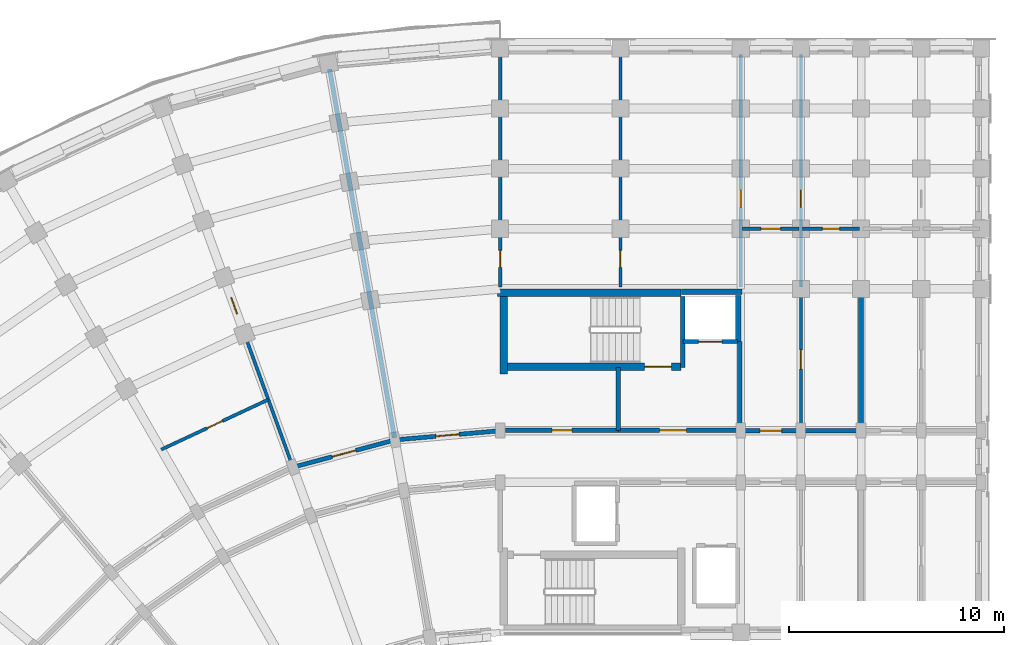
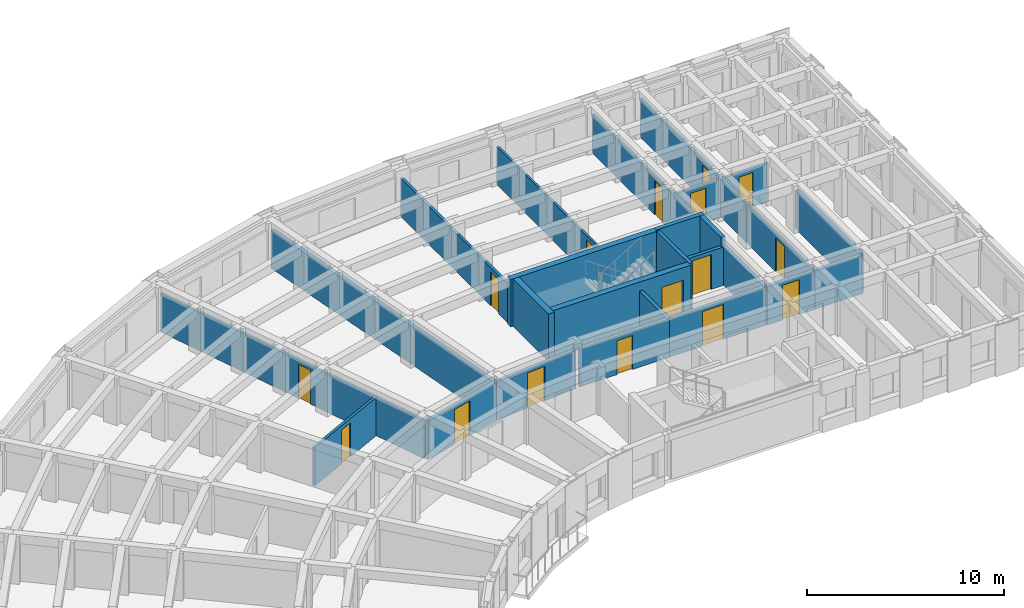
# One storey, part 26 of 54: 26 walls, 16 doors, 16 openings.
"""IFC4 building model written with IfcOpenShell, lengths in metres."""

from ifc_helpers import new_model, si_unit, direction, frame, frame_2d, origin, place, context, subcontext, project, spatial, rectangle, extrude, material, layer, layer_set, type_object, element, fill, save


model = new_model("IFC4")

# Units and contexts
model_context = context("Model", 3, precision=1e-05, world=origin(), true_north=direction((0.0, 1.0)))
body_context = subcontext(model_context, "Body", "Model", "MODEL_VIEW")
ifc_project = project(units=[si_unit("LENGTHUNIT", "METRE"), si_unit("AREAUNIT", "SQUARE_METRE"), si_unit("VOLUMEUNIT", "CUBIC_METRE"), si_unit("PLANEANGLEUNIT", "RADIAN"), si_unit("MASSUNIT", "GRAM", prefix="KILO")], contexts=[model_context])

# Site, building, storey
site_placement = place(None, origin())
site = spatial("IfcSite", under=ifc_project, at=site_placement, CompositionType="ELEMENT")
building_placement = place(site_placement, origin())
building = spatial("IfcBuilding", under=site, at=building_placement, Name="Kiranvali Square Residences", CompositionType="ELEMENT")
storey_placement = place(building_placement, frame((0.0, 0.0, 15.0)))
storey = spatial("IfcBuildingStorey", under=building, at=storey_placement, Name="L04", CompositionType="ELEMENT", Elevation=15.0)

# Wall, opening, door
ifc_material_1 = material(Name="Autoclaved aerated concrete blockwork masonry", Category="masonry")
ifc_layer_1 = layer(ifc_material_1, 0.199951171875)
ifc_layer_set_1 = layer_set([ifc_layer_1], Name="Autoclaved aerated concrete blockwork masonry")
wall_type_1 = type_object("IfcWallType", Name="WL-COR-200", PredefinedType="STANDARD", material=ifc_layer_set_1)
wall_1_placement = place(storey_placement, frame((59.39990234375, 116.0, 0.0), z_axis=(0.0, 0.0, 1.0), x_axis=(1.0, 0.0, 0.0)))
wall_1 = element("IfcWall", 1, at=wall_1_placement, inside=storey, type_object=wall_type_1, Name="L04 architectural wall WL-L04-A-A1CO-0", PredefinedType="STANDARD", context=body_context, shape_type="SweptSolid", body=[
    extrude(rectangle(XDim=2.800048828125, YDim=0.199951171875, at=frame_2d((1.39990234375, 0.0))), origin(), (0.0, 0.0, 1.0), 2.3720703125),
])
opening_1_placement = place(wall_1_placement, frame((0.89990234375, 0.0, 0.0)))
opening_1 = element("IfcOpeningElement", 2, at=opening_1_placement, cuts=wall_1, Name="Opening FD-APT-60", PredefinedType="OPENING", context=body_context, shape_type="SweptSolid", body=[
    extrude(rectangle(XDim=1.0, YDim=2.14990234375, at=frame_2d((0.5, 1.074951171875))), frame((0.0, 0.10986328125, 0.0), z_axis=(0.0, -1.0, 0.0), x_axis=(1.0, 0.0, 0.0)), (0.0, 0.0, 1.0), 0.219970703125),
])
ifc_material_2 = material(Name="Fire-rated acoustic hardwood and mineral-core door assembly", Category="wood")
door_type_1 = type_object("IfcDoorType", Name="DR-APT-1000", OperationType="NOTDEFINED", PredefinedType="DOOR", material=ifc_material_2)
door_1_placement = place(opening_1_placement, origin())
door_1 = element("IfcDoor", 3, at=door_1_placement, inside=storey, type_object=door_type_1, Name="L04 door DR-L04-0289 (DR-APT-1000)", OperationType="SINGLE_SWING_LEFT", OverallHeight=2.14990234375, OverallWidth=1.0, PredefinedType="DOOR", context=body_context, shape_type="SweptSolid", body=[
    extrude(rectangle(XDim=1.0, YDim=2.14990234375, at=frame_2d((0.5, 1.074951171875))), frame((0.0, 0.02490234375, 0.0), z_axis=(0.0, -1.0, 0.0), x_axis=(1.0, 0.0, 0.0)), (0.0, 0.0, 1.0), 0.050048828125),
])
fill(opening_1, door_1)

# Wall
wall_2_placement = place(storey_placement, frame((62.199951171875, 116.0, 0.0), z_axis=(0.0, 0.0, 1.0), x_axis=(1.0, 0.0, 0.0)))
element("IfcWall", 4, at=wall_2_placement, inside=storey, type_object=wall_type_1, Name="L04 architectural wall WL-L04-A-A1CO-1", PredefinedType="STANDARD", context=body_context, shape_type="SweptSolid", body=[
    extrude(rectangle(XDim=2.800048828125, YDim=0.199951171875, at=frame_2d((1.39990234375, 0.0))), origin(), (0.0, 0.0, 1.0), 2.3720703125),
])

# Wall, opening, door
wall_3_placement = place(storey_placement, frame((48.199951171875, 116.0, 0.0), z_axis=(0.0, 0.0, 1.0), x_axis=(-0.996193663584, -0.087167566415, 0.0)))
wall_3 = element("IfcWall", 5, at=wall_3_placement, inside=storey, type_object=wall_type_1, Name="L04 architectural wall WL-L04-A-CCO-0", PredefinedType="STANDARD", context=body_context, shape_type="SweptSolid", body=[
    extrude(rectangle(XDim=4.91552734375, YDim=0.199951171875, at=frame_2d((2.457763671875, 0.0))), origin(), (0.0, 0.0, 1.0), 2.3720703125),
])
opening_2_placement = place(wall_3_placement, frame((1.917724609375, 0.0, 0.0)))
opening_2 = element("IfcOpeningElement", 6, at=opening_2_placement, cuts=wall_3, Name="Opening FD-APT-60C", PredefinedType="OPENING", context=body_context, shape_type="SweptSolid", body=[
    extrude(rectangle(XDim=1.080078125, YDim=2.14990234375, at=frame_2d((0.5400390625, 1.074951171875))), frame((0.0, 0.10986328125, 0.0), z_axis=(0.0, -1.0, 0.0), x_axis=(1.0, 0.0, 0.0)), (0.0, 0.0, 1.0), 0.219970703125),
])
door_type_2 = type_object("IfcDoorType", Name="DR-APT-1080", OperationType="NOTDEFINED", PredefinedType="DOOR", material=ifc_material_2)
door_2_placement = place(opening_2_placement, origin())
door_2 = element("IfcDoor", 7, at=door_2_placement, inside=storey, type_object=door_type_2, Name="L04 door DR-L04-0307 (DR-APT-1080)", OperationType="SINGLE_SWING_LEFT", OverallHeight=2.14990234375, OverallWidth=1.080078125, PredefinedType="DOOR", context=body_context, shape_type="SweptSolid", body=[
    extrude(rectangle(XDim=1.080078125, YDim=2.14990234375, at=frame_2d((0.5400390625, 1.074951171875))), frame((0.0, 0.02490234375, 0.0), z_axis=(0.0, -1.0, 0.0), x_axis=(1.0, 0.0, 0.0)), (0.0, 0.0, 1.0), 0.050048828125),
])
fill(opening_2, door_2)

wall_4_placement = place(storey_placement, frame((43.30322265625, 115.571533203125, 0.0), z_axis=(0.0, 0.0, 1.0), x_axis=(-0.965930095386, -0.258803112091, 0.0)))
wall_4 = element("IfcWall", 8, at=wall_4_placement, inside=storey, type_object=wall_type_1, Name="L04 architectural wall WL-L04-A-CCO-1", PredefinedType="STANDARD", context=body_context, shape_type="SweptSolid", body=[
    extrude(rectangle(XDim=4.915771484375, YDim=0.199951171875, at=frame_2d((2.4580078125, 0.0))), origin(), (0.0, 0.0, 1.0), 2.3720703125),
])
opening_3_placement = place(wall_4_placement, frame((1.8876953125, 0.0, 0.0)))
opening_3 = element("IfcOpeningElement", 9, at=opening_3_placement, cuts=wall_4, Name="Opening FD-APT-60D", PredefinedType="OPENING", context=body_context, shape_type="SweptSolid", body=[
    extrude(rectangle(XDim=1.139892578125, YDim=2.14990234375, at=frame_2d((0.56982421875, 1.074951171875))), frame((0.0, 0.10986328125, 0.0), z_axis=(0.0, -1.0, 0.0), x_axis=(1.0, 0.0, 0.0)), (0.0, 0.0, 1.0), 0.219970703125),
])
door_type_3 = type_object("IfcDoorType", Name="DR-APT-1140", OperationType="NOTDEFINED", PredefinedType="DOOR", material=ifc_material_2)
door_3_placement = place(opening_3_placement, frame((1.139892578125, 0.0, 0.0), z_axis=(0.0, 0.0, 1.0), x_axis=(-1.0, 0.0, 0.0)))
door_3 = element("IfcDoor", 10, at=door_3_placement, inside=storey, type_object=door_type_3, Name="L04 door DR-L04-0308 (DR-APT-1140)", OperationType="SINGLE_SWING_RIGHT", OverallHeight=2.14990234375, OverallWidth=1.139892578125, PredefinedType="DOOR", context=body_context, shape_type="SweptSolid", body=[
    extrude(rectangle(XDim=1.139892578125, YDim=2.14990234375, at=frame_2d((0.56982421875, 1.074951171875))), frame((0.0, 0.02490234375, 0.0), z_axis=(0.0, -1.0, 0.0), x_axis=(1.0, 0.0, 0.0)), (0.0, 0.0, 1.0), 0.050048828125),
])
fill(opening_3, door_3)

# Walls
ifc_layer_2 = layer(ifc_material_1, 0.219970703125)
ifc_layer_set_2 = layer_set([ifc_layer_2], Name="Autoclaved aerated concrete blockwork masonry")
wall_type_2 = type_object("IfcWallType", Name="WL-DEM-220", PredefinedType="STANDARD", material=ifc_layer_set_2)
wall_5_placement = place(storey_placement, frame((65.0, 116.050048828125, 0.0), z_axis=(0.0, 0.0, 1.0), x_axis=(0.0, 1.0, 0.0)))
element("IfcWall", 11, at=wall_5_placement, inside=storey, type_object=wall_type_2, Name="L04 architectural wall WL-L04-A-A1TO1-2", PredefinedType="STANDARD", context=body_context, shape_type="SweptSolid", body=[
    extrude(rectangle(XDim=6.530029296875, YDim=0.219970703125, at=frame_2d((3.26513671875, 0.0))), origin(), (0.0, 0.0, 1.0), 2.3720703125),
])
wall_6_placement = place(storey_placement, frame((43.28564453125, 115.670166015625, 0.0), z_axis=(0.0, 0.0, 1.0), x_axis=(-0.173646216546, 0.984808098809, 0.0)))
element("IfcWall", 12, at=wall_6_placement, inside=storey, type_object=wall_type_2, Name="L04 architectural wall WL-L04-A-RADO-1", PredefinedType="STANDARD", context=body_context, shape_type="SweptSolid", body=[
    extrude(rectangle(XDim=17.419921875, YDim=0.219970703125, at=frame_2d((8.7099609375, 0.0))), origin(), (0.0, 0.0, 1.0), 2.3720703125),
])

# Wall, opening, door
ifc_layer_3 = layer(ifc_material_1, 0.199951171875)
ifc_layer_set_3 = layer_set([ifc_layer_3], Name="Autoclaved aerated concrete blockwork masonry")
wall_type_3 = type_object("IfcWallType", Name="WL-FFL-200", PredefinedType="STANDARD", material=ifc_layer_set_3)
wall_7_placement = place(storey_placement, frame((53.699951171875, 116.02001953125, 0.0), z_axis=(0.0, 0.0, 1.0), x_axis=(1.0, 0.0, 0.0)))
wall_7 = element("IfcWall", 13, at=wall_7_placement, inside=storey, type_object=wall_type_3, Name="L04 architectural wall WL-L04-A-FF-COR", PredefinedType="STANDARD", context=body_context, shape_type="SweptSolid", body=[
    extrude(rectangle(XDim=5.650146484375, YDim=0.199951171875, at=frame_2d((2.8251953125, 0.0))), origin(), (0.0, 0.0, 1.0), 2.3720703125),
])
opening_4_placement = place(wall_7_placement, frame((1.922607421875, 0.0, 0.0)))
opening_4 = element("IfcOpeningElement", 14, at=opening_4_placement, cuts=wall_7, Name="Opening FD-ST-120", PredefinedType="OPENING", context=body_context, shape_type="SweptSolid", body=[
    extrude(rectangle(XDim=1.239990234375, YDim=2.14990234375, at=frame_2d((0.6201171875, 1.074951171875))), frame((0.0, 0.10986328125, 0.0), z_axis=(0.0, -1.0, 0.0), x_axis=(1.0, 0.0, 0.0)), (0.0, 0.0, 1.0), 0.219970703125),
])
door_type_4 = type_object("IfcDoorType", Name="DR-FD120-1200", OperationType="NOTDEFINED", PredefinedType="DOOR", material=ifc_material_2)
door_4_placement = place(opening_4_placement, origin())
door_4 = element("IfcDoor", 15, at=door_4_placement, inside=storey, type_object=door_type_4, Name="L04 door DR-L04-0275 (DR-FD120-1200)", OperationType="SINGLE_SWING_LEFT", OverallHeight=2.14990234375, OverallWidth=1.239990234375, PredefinedType="DOOR", context=body_context, shape_type="SweptSolid", body=[
    extrude(rectangle(XDim=1.239990234375, YDim=2.14990234375, at=frame_2d((0.6201171875, 1.074951171875))), frame((0.0, 0.02490234375, 0.0), z_axis=(0.0, -1.0, 0.0), x_axis=(1.0, 0.0, 0.0)), (0.0, 0.0, 1.0), 0.050048828125),
])
fill(opening_4, door_4)

# Walls
wall_8_placement = place(storey_placement, frame((53.699951171875, 116.02001953125, 0.0), z_axis=(0.0, 0.0, 1.0), x_axis=(0.0, 1.0, 0.0)))
element("IfcWall", 16, at=wall_8_placement, inside=storey, type_object=wall_type_3, Name="L04 architectural wall WL-L04-A-FF-DIV", PredefinedType="STANDARD", context=body_context, shape_type="SweptSolid", body=[
    extrude(rectangle(XDim=2.929931640625, YDim=0.199951171875, at=frame_2d((1.46484375, 0.0))), origin(), (0.0, 0.0, 1.0), 2.3720703125),
])
wall_9_placement = place(storey_placement, frame((59.35009765625, 116.02001953125, 0.0), z_axis=(0.0, 0.0, 1.0), x_axis=(0.0, 1.0, 0.0)))
element("IfcWall", 17, at=wall_9_placement, inside=storey, type_object=wall_type_3, Name="L04 architectural wall WL-L04-A-FF-END", PredefinedType="STANDARD", context=body_context, shape_type="SweptSolid", body=[
    extrude(rectangle(XDim=4.1298828125, YDim=0.199951171875, at=frame_2d((2.06494140625, 0.0))), origin(), (0.0, 0.0, 1.0), 2.3720703125),
])

# Wall, opening, door
wall_10_placement = place(storey_placement, frame((56.699951171875, 120.14990234375, 0.0), z_axis=(0.0, 0.0, 1.0), x_axis=(1.0, 0.0, 0.0)))
wall_10 = element("IfcWall", 18, at=wall_10_placement, inside=storey, type_object=wall_type_3, Name="L04 architectural wall WL-L04-A-FF-LFT", PredefinedType="STANDARD", context=body_context, shape_type="SweptSolid", body=[
    extrude(rectangle(XDim=2.550048828125, YDim=0.199951171875, at=frame_2d((1.27490234375, 0.0))), origin(), (0.0, 0.0, 1.0), 2.3720703125),
])
opening_5_placement = place(wall_10_placement, frame((0.72509765625, 0.0, 0.0)))
opening_5 = element("IfcOpeningElement", 19, at=opening_5_placement, cuts=wall_10, Name="Opening LD-FF-110", PredefinedType="OPENING", context=body_context, shape_type="SweptSolid", body=[
    extrude(rectangle(XDim=1.10009765625, YDim=2.14990234375, at=frame_2d((0.550048828125, 1.074951171875))), frame((0.0, 0.10986328125, 0.0), z_axis=(0.0, -1.0, 0.0), x_axis=(1.0, 0.0, 0.0)), (0.0, 0.0, 1.0), 0.219970703125),
])
door_type_5 = type_object("IfcDoorType", Name="DR-LIFT-FF-1100", OperationType="SLIDING_TO_LEFT", PredefinedType="DOOR", material=ifc_material_2)
door_5_placement = place(opening_5_placement, origin())
door_5 = element("IfcDoor", 20, at=door_5_placement, inside=storey, type_object=door_type_5, Name="L04 door DR-L04-0277 (DR-LIFT-FF-1100)", OperationType="SLIDING_TO_LEFT", OverallHeight=2.14990234375, OverallWidth=1.10009765625, PredefinedType="DOOR", context=body_context, shape_type="SweptSolid", body=[
    extrude(rectangle(XDim=1.10009765625, YDim=2.14990234375, at=frame_2d((0.550048828125, 1.074951171875))), frame((0.0, 0.02490234375, 0.0), z_axis=(0.0, -1.0, 0.0), x_axis=(1.0, 0.0, 0.0)), (0.0, 0.0, 1.0), 0.050048828125),
])
fill(opening_5, door_5)

ifc_material_3 = material(Name="Acoustic gypsum board drylined partition", Category="gypsum")
ifc_layer_4 = layer(ifc_material_3, 0.125)
ifc_layer_set_4 = layer_set([ifc_layer_4], Name="Acoustic gypsum board drylined partition")
wall_type_4 = type_object("IfcWallType", Name="WL-PRT-125", PredefinedType="PARTITIONING", material=ifc_layer_set_4)
wall_11_placement = place(storey_placement, frame((53.800048828125, 122.699951171875, 0.0), z_axis=(0.0, 0.0, 1.0), x_axis=(0.0, 1.0, 0.0)))
wall_11 = element("IfcWall", 21, at=wall_11_placement, inside=storey, type_object=wall_type_4, Name="L04 architectural wall WL-L04-A-CF-MID", PredefinedType="PARTITIONING", context=body_context, shape_type="SweptSolid", body=[
    extrude(rectangle(XDim=10.820068359375, YDim=0.125, at=frame_2d((5.41015625, 0.0))), origin(), (0.0, 0.0, 1.0), 2.3720703125),
])
opening_6_placement = place(wall_11_placement, frame((0.8994140625, 0.0, 0.0)))
opening_6 = element("IfcOpeningElement", 22, at=opening_6_placement, cuts=wall_11, Name="Opening ID-WET", PredefinedType="OPENING", context=body_context, shape_type="SweptSolid", body=[
    extrude(rectangle(XDim=0.800048828125, YDim=2.10009765625, at=frame_2d((0.39990234375, 1.050048828125))), frame((0.0, 0.072509765625, 0.0), z_axis=(0.0, -1.0, 0.0), x_axis=(1.0, 0.0, 0.0)), (0.0, 0.0, 1.0), 0.14501953125),
])
ifc_material_4 = material(Name="Solid seasoned teak hardwood joinery", Category="wood")
door_type_6 = type_object("IfcDoorType", Name="DR-WET-800", OperationType="NOTDEFINED", PredefinedType="DOOR", material=ifc_material_4)
door_6_placement = place(opening_6_placement, frame((0.800048828125, 0.0, 0.0), z_axis=(0.0, 0.0, 1.0), x_axis=(-1.0, 0.0, 0.0)))
door_6 = element("IfcDoor", 23, at=door_6_placement, inside=storey, type_object=door_type_6, Name="L04 door DR-L04-0286 (DR-WET-800)", OperationType="SINGLE_SWING_RIGHT", OverallHeight=2.10009765625, OverallWidth=0.800048828125, PredefinedType="DOOR", context=body_context, shape_type="SweptSolid", body=[
    extrude(rectangle(XDim=0.800048828125, YDim=2.10009765625, at=frame_2d((0.39990234375, 1.050048828125))), frame((0.0, 0.02490234375, 0.0), z_axis=(0.0, -1.0, 0.0), x_axis=(1.0, 0.0, 0.0)), (0.0, 0.0, 1.0), 0.050048828125),
])
fill(opening_6, door_6)

ifc_layer_5 = layer(ifc_material_3, 0.14990234375)
ifc_layer_set_5 = layer_set([ifc_layer_5], Name="Acoustic gypsum board drylined partition")
wall_type_5 = type_object("IfcWallType", Name="WL-PRT-150", PredefinedType="PARTITIONING", material=ifc_layer_set_5)
wall_12_placement = place(storey_placement, frame((59.39990234375, 122.699951171875, 0.0), z_axis=(0.0, 0.0, 1.0), x_axis=(0.0, 1.0, 0.0)))
wall_12 = element("IfcWall", 24, at=wall_12_placement, inside=storey, type_object=wall_type_5, Name="L04 architectural wall WL-L04-A-A1TO2-0", PredefinedType="PARTITIONING", context=body_context, shape_type="SweptSolid", body=[
    extrude(rectangle(XDim=10.820068359375, YDim=0.14990234375, at=frame_2d((5.41015625, 0.0))), origin(), (0.0, 0.0, 1.0), 2.3720703125),
])
opening_7_placement = place(wall_12_placement, frame((3.69970703125, 0.0, 0.0)))
opening_7 = element("IfcOpeningElement", 25, at=opening_7_placement, cuts=wall_12, Name="Opening ID-WET", PredefinedType="OPENING", context=body_context, shape_type="SweptSolid", body=[
    extrude(rectangle(XDim=0.800048828125, YDim=2.10009765625, at=frame_2d((0.39990234375, 1.050048828125))), frame((0.0, 0.0849609375, 0.0), z_axis=(0.0, -1.0, 0.0), x_axis=(1.0, 0.0, 0.0)), (0.0, 0.0, 1.0), 0.169921875),
])
door_7_placement = place(opening_7_placement, origin())
door_7 = element("IfcDoor", 26, at=door_7_placement, inside=storey, type_object=door_type_6, Name="L04 door DR-L04-0295 (DR-WET-800)", OperationType="SINGLE_SWING_LEFT", OverallHeight=2.10009765625, OverallWidth=0.800048828125, PredefinedType="DOOR", context=body_context, shape_type="SweptSolid", body=[
    extrude(rectangle(XDim=0.800048828125, YDim=2.10009765625, at=frame_2d((0.39990234375, 1.050048828125))), frame((0.0, 0.02490234375, 0.0), z_axis=(0.0, -1.0, 0.0), x_axis=(1.0, 0.0, 0.0)), (0.0, 0.0, 1.0), 0.050048828125),
])
fill(opening_7, door_7)

wall_13_placement = place(storey_placement, frame((62.199951171875, 116.050048828125, 0.0), z_axis=(0.0, 0.0, 1.0), x_axis=(0.0, 1.0, 0.0)))
wall_13 = element("IfcWall", 27, at=wall_13_placement, inside=storey, type_object=wall_type_5, Name="L04 architectural wall WL-L04-A-A1TO1-1", PredefinedType="PARTITIONING", context=body_context, shape_type="SweptSolid", body=[
    extrude(rectangle(XDim=6.530029296875, YDim=0.14990234375, at=frame_2d((3.26513671875, 0.0))), origin(), (0.0, 0.0, 1.0), 2.3720703125),
])
opening_8_placement = place(wall_13_placement, frame((2.81494140625, 0.0, 0.0)))
opening_8 = element("IfcOpeningElement", 28, at=opening_8_placement, cuts=wall_13, Name="Opening ID-1", PredefinedType="OPENING", context=body_context, shape_type="SweptSolid", body=[
    extrude(rectangle(XDim=0.89990234375, YDim=2.10009765625, at=frame_2d((0.449951171875, 1.050048828125))), frame((0.0, 0.0849609375, 0.0), z_axis=(0.0, -1.0, 0.0), x_axis=(1.0, 0.0, 0.0)), (0.0, 0.0, 1.0), 0.169921875),
])
door_type_7 = type_object("IfcDoorType", Name="DR-INT-900", OperationType="NOTDEFINED", PredefinedType="DOOR", material=ifc_material_4)
door_8_placement = place(opening_8_placement, origin())
door_8 = element("IfcDoor", 29, at=door_8_placement, inside=storey, type_object=door_type_7, Name="L04 door DR-L04-0297 (DR-INT-900)", OperationType="SINGLE_SWING_LEFT", OverallHeight=2.10009765625, OverallWidth=0.89990234375, PredefinedType="DOOR", context=body_context, shape_type="SweptSolid", body=[
    extrude(rectangle(XDim=0.89990234375, YDim=2.10009765625, at=frame_2d((0.449951171875, 1.050048828125))), frame((0.0, 0.02490234375, 0.0), z_axis=(0.0, -1.0, 0.0), x_axis=(1.0, 0.0, 0.0)), (0.0, 0.0, 1.0), 0.050048828125),
])
fill(opening_8, door_8)

wall_14_placement = place(storey_placement, frame((62.199951171875, 122.699951171875, 0.0), z_axis=(0.0, 0.0, 1.0), x_axis=(0.0, 1.0, 0.0)))
wall_14 = element("IfcWall", 30, at=wall_14_placement, inside=storey, type_object=wall_type_5, Name="L04 architectural wall WL-L04-A-A1TO2-1", PredefinedType="PARTITIONING", context=body_context, shape_type="SweptSolid", body=[
    extrude(rectangle(XDim=10.820068359375, YDim=0.14990234375, at=frame_2d((5.41015625, 0.0))), origin(), (0.0, 0.0, 1.0), 2.3720703125),
])
opening_9_placement = place(wall_14_placement, frame((3.69970703125, 0.0, 0.0)))
opening_9 = element("IfcOpeningElement", 31, at=opening_9_placement, cuts=wall_14, Name="Opening ID-WET", PredefinedType="OPENING", context=body_context, shape_type="SweptSolid", body=[
    extrude(rectangle(XDim=0.800048828125, YDim=2.10009765625, at=frame_2d((0.39990234375, 1.050048828125))), frame((0.0, 0.0849609375, 0.0), z_axis=(0.0, -1.0, 0.0), x_axis=(1.0, 0.0, 0.0)), (0.0, 0.0, 1.0), 0.169921875),
])
door_9_placement = place(opening_9_placement, frame((0.800048828125, 0.0, 0.0), z_axis=(0.0, 0.0, 1.0), x_axis=(-1.0, 0.0, 0.0)))
door_9 = element("IfcDoor", 32, at=door_9_placement, inside=storey, type_object=door_type_6, Name="L04 door DR-L04-0298 (DR-WET-800)", OperationType="SINGLE_SWING_RIGHT", OverallHeight=2.10009765625, OverallWidth=0.800048828125, PredefinedType="DOOR", context=body_context, shape_type="SweptSolid", body=[
    extrude(rectangle(XDim=0.800048828125, YDim=2.10009765625, at=frame_2d((0.39990234375, 1.050048828125))), frame((0.0, 0.02490234375, 0.0), z_axis=(0.0, -1.0, 0.0), x_axis=(1.0, 0.0, 0.0)), (0.0, 0.0, 1.0), 0.050048828125),
])
fill(opening_9, door_9)

wall_15_placement = place(storey_placement, frame((48.199951171875, 122.699951171875, 0.0), z_axis=(0.0, 0.0, 1.0), x_axis=(0.0, 1.0, 0.0)))
wall_15 = element("IfcWall", 33, at=wall_15_placement, inside=storey, type_object=wall_type_5, Name="L04 architectural wall WL-L04-A-RADO-0", PredefinedType="PARTITIONING", context=body_context, shape_type="SweptSolid", body=[
    extrude(rectangle(XDim=10.820068359375, YDim=0.14990234375, at=frame_2d((5.41015625, 0.0))), origin(), (0.0, 0.0, 1.0), 2.3720703125),
])
opening_10_placement = place(wall_15_placement, frame((0.8994140625, 0.0, 0.0)))
opening_10 = element("IfcOpeningElement", 34, at=opening_10_placement, cuts=wall_15, Name="Opening ID-WET", PredefinedType="OPENING", context=body_context, shape_type="SweptSolid", body=[
    extrude(rectangle(XDim=0.800048828125, YDim=2.10009765625, at=frame_2d((0.39990234375, 1.050048828125))), frame((0.0, 0.0849609375, 0.0), z_axis=(0.0, -1.0, 0.0), x_axis=(1.0, 0.0, 0.0)), (0.0, 0.0, 1.0), 0.169921875),
])
door_10_placement = place(opening_10_placement, frame((0.800048828125, 0.0, 0.0), z_axis=(0.0, 0.0, 1.0), x_axis=(-1.0, 0.0, 0.0)))
door_10 = element("IfcDoor", 35, at=door_10_placement, inside=storey, type_object=door_type_6, Name="L04 door DR-L04-0302 (DR-WET-800)", OperationType="SINGLE_SWING_RIGHT", OverallHeight=2.10009765625, OverallWidth=0.800048828125, PredefinedType="DOOR", context=body_context, shape_type="SweptSolid", body=[
    extrude(rectangle(XDim=0.800048828125, YDim=2.10009765625, at=frame_2d((0.39990234375, 1.050048828125))), frame((0.0, 0.02490234375, 0.0), z_axis=(0.0, -1.0, 0.0), x_axis=(1.0, 0.0, 0.0)), (0.0, 0.0, 1.0), 0.050048828125),
])
fill(opening_10, door_10)

wall_16_placement = place(storey_placement, frame((38.520751953125, 114.393310546875, 0.0), z_axis=(0.0, 0.0, 1.0), x_axis=(-0.342022120477, 0.939691901159, 0.0)))
wall_16 = element("IfcWall", 36, at=wall_16_placement, inside=storey, type_object=wall_type_5, Name="L04 architectural wall WL-L04-A-RADO-2", PredefinedType="PARTITIONING", context=body_context, shape_type="SweptSolid", body=[
    extrude(rectangle(XDim=17.419921875, YDim=0.14990234375, at=frame_2d((8.7099609375, 0.0))), origin(), (0.0, 0.0, 1.0), 2.3720703125),
])
opening_11_placement = place(wall_16_placement, frame((7.5, 0.0, 0.0)))
opening_11 = element("IfcOpeningElement", 37, at=opening_11_placement, cuts=wall_16, Name="Opening ID-WET", PredefinedType="OPENING", context=body_context, shape_type="SweptSolid", body=[
    extrude(rectangle(XDim=0.800048828125, YDim=2.10009765625, at=frame_2d((0.39990234375, 1.050048828125))), frame((0.0, 0.0849609375, 0.0), z_axis=(0.0, -1.0, 0.0), x_axis=(1.0, 0.0, 0.0)), (0.0, 0.0, 1.0), 0.169921875),
])
door_11_placement = place(opening_11_placement, origin())
door_11 = element("IfcDoor", 38, at=door_11_placement, inside=storey, type_object=door_type_6, Name="L04 door DR-L04-0303 (DR-WET-800)", OperationType="SINGLE_SWING_LEFT", OverallHeight=2.10009765625, OverallWidth=0.800048828125, PredefinedType="DOOR", context=body_context, shape_type="SweptSolid", body=[
    extrude(rectangle(XDim=0.800048828125, YDim=2.10009765625, at=frame_2d((0.39990234375, 1.050048828125))), frame((0.0, 0.02490234375, 0.0), z_axis=(0.0, -1.0, 0.0), x_axis=(1.0, 0.0, 0.0)), (0.0, 0.0, 1.0), 0.050048828125),
])
fill(opening_11, door_11)

ifc_layer_6 = layer(ifc_material_1, 0.199951171875)
ifc_layer_set_6 = layer_set([ifc_layer_6], Name="Autoclaved aerated concrete blockwork masonry")
wall_type_6 = type_object("IfcWallType", Name="WL-SHF-200", PredefinedType="STANDARD", material=ifc_layer_set_6)
wall_17_placement = place(storey_placement, frame((48.449951171875, 116.02001953125, 0.0), z_axis=(0.0, 0.0, 1.0), x_axis=(1.0, 0.0, 0.0)))
wall_17 = element("IfcWall", 39, at=wall_17_placement, inside=storey, type_object=wall_type_6, Name="L04 architectural wall WL-L04-A-RSR-COR", PredefinedType="STANDARD", context=body_context, shape_type="SweptSolid", body=[
    extrude(rectangle(XDim=5.25, YDim=0.199951171875, at=frame_2d((2.625, 0.0))), origin(), (0.0, 0.0, 1.0), 2.3720703125),
])
opening_12_placement = place(wall_17_placement, frame((2.1650390625, 0.0, 0.0)))
opening_12 = element("IfcOpeningElement", 40, at=opening_12_placement, cuts=wall_17, Name="Opening FD-SVC-120", PredefinedType="OPENING", context=body_context, shape_type="SweptSolid", body=[
    extrude(rectangle(XDim=0.919921875, YDim=2.10009765625, at=frame_2d((0.4599609375, 1.050048828125))), frame((0.0, 0.10986328125, 0.0), z_axis=(0.0, -1.0, 0.0), x_axis=(1.0, 0.0, 0.0)), (0.0, 0.0, 1.0), 0.219970703125),
])
door_type_8 = type_object("IfcDoorType", Name="DR-SVC-900", OperationType="NOTDEFINED", PredefinedType="DOOR", material=ifc_material_2)
door_12_placement = place(opening_12_placement, frame((0.919921875, 0.0, 0.0), z_axis=(0.0, 0.0, 1.0), x_axis=(-1.0, 0.0, 0.0)))
door_12 = element("IfcDoor", 41, at=door_12_placement, inside=storey, type_object=door_type_8, Name="L04 door DR-L04-0276 (DR-SVC-900)", OperationType="SINGLE_SWING_RIGHT", OverallHeight=2.10009765625, OverallWidth=0.919921875, PredefinedType="DOOR", context=body_context, shape_type="SweptSolid", body=[
    extrude(rectangle(XDim=0.919921875, YDim=2.10009765625, at=frame_2d((0.4599609375, 1.050048828125))), frame((0.0, 0.02490234375, 0.0), z_axis=(0.0, -1.0, 0.0), x_axis=(1.0, 0.0, 0.0)), (0.0, 0.0, 1.0), 0.050048828125),
])
fill(opening_12, door_12)

# Walls
wall_18_placement = place(storey_placement, frame((56.699951171875, 118.949951171875, 0.0), z_axis=(0.0, 0.0, 1.0), x_axis=(0.0, 1.0, 0.0)))
element("IfcWall", 42, at=wall_18_placement, inside=storey, type_object=wall_type_6, Name="L04 architectural wall WL-L04-A-FF-SHF", PredefinedType="STANDARD", context=body_context, shape_type="SweptSolid", body=[
    extrude(rectangle(XDim=3.300048828125, YDim=0.199951171875, at=frame_2d((1.64990234375, 0.0))), origin(), (0.0, 0.0, 1.0), 2.929931640625),
])
ifc_material_5 = material(Name="Concrete M45 (45 MPa)", Category="concrete")
ifc_layer_7 = layer(ifc_material_5, 0.25)
ifc_layer_set_7 = layer_set([ifc_layer_7], Name="Concrete M45 (45 MPa)")
wall_type_7 = type_object("IfcWallType", Name="WL-SHR-250", PredefinedType="SHEAR", material=ifc_layer_set_7)
wall_19_placement = place(storey_placement, frame((56.64990234375, 122.47509765625, 0.0), z_axis=(0.0, 0.0, 1.0), x_axis=(1.0, 0.0, 0.0)))
element("IfcWall", 43, at=wall_19_placement, inside=storey, type_object=wall_type_7, Name="Block A core shear wall SW-AFF-BK-L04", PredefinedType="SHEAR", context=body_context, shape_type="SweptSolid", body=[
    extrude(rectangle(XDim=2.800048828125, YDim=0.25, at=frame_2d((1.39990234375, 0.0))), origin(), (0.0, 0.0, 1.0), 2.929931640625),
])
wall_20_placement = place(storey_placement, frame((59.27490234375, 120.14990234375, 0.0), z_axis=(0.0, 0.0, 1.0), x_axis=(0.0, 1.0, 0.0)))
element("IfcWall", 44, at=wall_20_placement, inside=storey, type_object=wall_type_7, Name="Block A core shear wall SW-AFF-SD-L04", PredefinedType="SHEAR", context=body_context, shape_type="SweptSolid", body=[
    extrude(rectangle(XDim=2.150146484375, YDim=0.25, at=frame_2d((1.0751953125, 0.0))), origin(), (0.0, 0.0, 1.0), 2.929931640625),
])
ifc_material_6 = material(Name="Concrete M50 (50 MPa)", Category="concrete")
ifc_layer_8 = layer(ifc_material_6, 0.35009765625)
ifc_layer_set_8 = layer_set([ifc_layer_8], Name="Concrete M50 (50 MPa)")
wall_type_8 = type_object("IfcWallType", Name="WL-SHR-350", PredefinedType="SHEAR", material=ifc_layer_set_8)
wall_21_placement = place(storey_placement, frame((48.080078125, 122.425048828125, 0.0), z_axis=(0.0, 0.0, 1.0), x_axis=(1.0, 0.0, 0.0)))
element("IfcWall", 45, at=wall_21_placement, inside=storey, type_object=wall_type_8, Name="Block A core shear wall SW-A1-OUT-L04", PredefinedType="SHEAR", context=body_context, shape_type="SweptSolid", body=[
    extrude(rectangle(XDim=8.544921875, YDim=0.35009765625, at=frame_2d((4.2724609375, 0.0))), origin(), (0.0, 0.0, 1.0), 2.929931640625),
])

# Wall, opening, door
wall_22_placement = place(storey_placement, frame((48.550048828125, 118.97509765625, 0.0), z_axis=(0.0, 0.0, 1.0), x_axis=(1.0, 0.0, 0.0)))
wall_22 = element("IfcWall", 46, at=wall_22_placement, inside=storey, type_object=wall_type_8, Name="Block A core shear wall SW-A1-IN-L04", PredefinedType="SHEAR", context=body_context, shape_type="SweptSolid", body=[
    extrude(rectangle(XDim=8.074951171875, YDim=0.35009765625, at=frame_2d((4.03759765625, 0.0))), origin(), (0.0, 0.0, 1.0), 2.929931640625),
])
opening_13_placement = place(wall_22_placement, frame((6.3798828125, 0.0, 0.0)))
opening_13 = element("IfcOpeningElement", 47, at=opening_13_placement, cuts=wall_22, Name="Opening FD-ST-120", PredefinedType="OPENING", context=body_context, shape_type="SweptSolid", body=[
    extrude(rectangle(XDim=1.239990234375, YDim=2.14990234375, at=frame_2d((0.6201171875, 1.074951171875))), frame((0.0, 0.18505859375, 0.0), z_axis=(0.0, -1.0, 0.0), x_axis=(1.0, 0.0, 0.0)), (0.0, 0.0, 1.0), 0.3701171875),
])
door_13_placement = place(opening_13_placement, origin())
door_13 = element("IfcDoor", 48, at=door_13_placement, inside=storey, type_object=door_type_4, Name="L04 door DR-L04-0278 (DR-FD120-1200)", OperationType="SINGLE_SWING_RIGHT", OverallHeight=2.14990234375, OverallWidth=1.239990234375, PredefinedType="DOOR", context=body_context, shape_type="SweptSolid", body=[
    extrude(rectangle(XDim=1.239990234375, YDim=2.14990234375, at=frame_2d((0.6201171875, 1.074951171875))), frame((0.0, 0.02490234375, 0.0), z_axis=(0.0, -1.0, 0.0), x_axis=(1.0, 0.0, 0.0)), (0.0, 0.0, 1.0), 0.050048828125),
])
fill(opening_13, door_13)

# Wall
wall_23_placement = place(storey_placement, frame((48.375, 118.64990234375, 0.0), z_axis=(0.0, 0.0, 1.0), x_axis=(0.0, 1.0, 0.0)))
element("IfcWall", 49, at=wall_23_placement, inside=storey, type_object=wall_type_8, Name="Block A core shear wall SW-A1-FAR-L04", PredefinedType="SHEAR", context=body_context, shape_type="SweptSolid", body=[
    extrude(rectangle(XDim=3.60009765625, YDim=0.35009765625, at=frame_2d((1.800048828125, 0.0))), origin(), (0.0, 0.0, 1.0), 2.929931640625),
])

# Wall, opening, door
ifc_layer_9 = layer(ifc_material_1, 0.14990234375)
ifc_layer_set_9 = layer_set([ifc_layer_9], Name="Autoclaved aerated concrete blockwork masonry")
wall_type_9 = type_object("IfcWallType", Name="WL-WET-150", PredefinedType="PLUMBINGWALL", material=ifc_layer_set_9)
wall_24_placement = place(storey_placement, frame((59.47998046875, 125.39990234375, 0.0), z_axis=(0.0, 0.0, 1.0), x_axis=(1.0, 0.0, 0.0)))
wall_24 = element("IfcWall", 50, at=wall_24_placement, inside=storey, type_object=wall_type_9, Name="L04 architectural wall WL-L04-A-A1SP-0", PredefinedType="PLUMBINGWALL", context=body_context, shape_type="SweptSolid", body=[
    extrude(rectangle(XDim=2.64013671875, YDim=0.14990234375, at=frame_2d((1.320068359375, 0.0))), origin(), (0.0, 0.0, 1.0), 2.3720703125),
])
opening_14_placement = place(wall_24_placement, frame((0.8701171875, 0.0, 0.0)))
opening_14 = element("IfcOpeningElement", 51, at=opening_14_placement, cuts=wall_24, Name="Opening ID-1", PredefinedType="OPENING", context=body_context, shape_type="SweptSolid", body=[
    extrude(rectangle(XDim=0.89990234375, YDim=2.10009765625, at=frame_2d((0.449951171875, 1.050048828125))), frame((0.0, 0.0849609375, 0.0), z_axis=(0.0, -1.0, 0.0), x_axis=(1.0, 0.0, 0.0)), (0.0, 0.0, 1.0), 0.169921875),
])
door_14_placement = place(opening_14_placement, frame((0.89990234375, 0.0, 0.0), z_axis=(0.0, 0.0, 1.0), x_axis=(-1.0, 0.0, 0.0)))
door_14 = element("IfcDoor", 52, at=door_14_placement, inside=storey, type_object=door_type_7, Name="L04 door DR-L04-0288 (DR-INT-900)", OperationType="SINGLE_SWING_RIGHT", OverallHeight=2.10009765625, OverallWidth=0.89990234375, PredefinedType="DOOR", context=body_context, shape_type="SweptSolid", body=[
    extrude(rectangle(XDim=0.89990234375, YDim=2.10009765625, at=frame_2d((0.449951171875, 1.050048828125))), frame((0.0, 0.02490234375, 0.0), z_axis=(0.0, -1.0, 0.0), x_axis=(1.0, 0.0, 0.0)), (0.0, 0.0, 1.0), 0.050048828125),
])
fill(opening_14, door_14)

wall_25_placement = place(storey_placement, frame((62.280029296875, 125.39990234375, 0.0), z_axis=(0.0, 0.0, 1.0), x_axis=(1.0, 0.0, 0.0)))
wall_25 = element("IfcWall", 53, at=wall_25_placement, inside=storey, type_object=wall_type_9, Name="L04 architectural wall WL-L04-A-A1SP-1", PredefinedType="PLUMBINGWALL", context=body_context, shape_type="SweptSolid", body=[
    extrude(rectangle(XDim=2.639892578125, YDim=0.14990234375, at=frame_2d((1.31982421875, 0.0))), origin(), (0.0, 0.0, 1.0), 2.3720703125),
])
opening_15_placement = place(wall_25_placement, frame((0.919921875, 0.0, 0.0)))
opening_15 = element("IfcOpeningElement", 54, at=opening_15_placement, cuts=wall_25, Name="Opening ID-WET", PredefinedType="OPENING", context=body_context, shape_type="SweptSolid", body=[
    extrude(rectangle(XDim=0.800048828125, YDim=2.10009765625, at=frame_2d((0.39990234375, 1.050048828125))), frame((0.0, 0.0849609375, 0.0), z_axis=(0.0, -1.0, 0.0), x_axis=(1.0, 0.0, 0.0)), (0.0, 0.0, 1.0), 0.169921875),
])
door_15_placement = place(opening_15_placement, frame((0.800048828125, 0.0, 0.0), z_axis=(0.0, 0.0, 1.0), x_axis=(-1.0, 0.0, 0.0)))
door_15 = element("IfcDoor", 55, at=door_15_placement, inside=storey, type_object=door_type_6, Name="L04 door DR-L04-0290 (DR-WET-800)", OperationType="SINGLE_SWING_RIGHT", OverallHeight=2.10009765625, OverallWidth=0.800048828125, PredefinedType="DOOR", context=body_context, shape_type="SweptSolid", body=[
    extrude(rectangle(XDim=0.800048828125, YDim=2.10009765625, at=frame_2d((0.39990234375, 1.050048828125))), frame((0.0, 0.02490234375, 0.0), z_axis=(0.0, -1.0, 0.0), x_axis=(1.0, 0.0, 0.0)), (0.0, 0.0, 1.0), 0.050048828125),
])
fill(opening_15, door_15)

wall_26_placement = place(storey_placement, frame((37.4091796875, 117.447265625, 0.0), z_axis=(0.0, 0.0, 1.0), x_axis=(-0.906302189986, -0.422630264446, 0.0)))
wall_26 = element("IfcWall", 56, at=wall_26_placement, inside=storey, type_object=wall_type_9, Name="L04 architectural wall WL-L04-A-CWET-2", PredefinedType="PLUMBINGWALL", context=body_context, shape_type="SweptSolid", body=[
    extrude(rectangle(XDim=5.49951171875, YDim=0.14990234375, at=frame_2d((2.749755859375, 0.0))), origin(), (0.0, 0.0, 1.0), 2.3720703125),
])
opening_16_placement = place(wall_26_placement, frame((2.349853515625, 0.0, 0.0)))
opening_16 = element("IfcOpeningElement", 57, at=opening_16_placement, cuts=wall_26, Name="Opening ID-WET", PredefinedType="OPENING", context=body_context, shape_type="SweptSolid", body=[
    extrude(rectangle(XDim=0.800048828125, YDim=2.10009765625, at=frame_2d((0.39990234375, 1.050048828125))), frame((0.0, 0.0849609375, 0.0), z_axis=(0.0, -1.0, 0.0), x_axis=(1.0, 0.0, 0.0)), (0.0, 0.0, 1.0), 0.169921875),
])
door_16_placement = place(opening_16_placement, origin())
door_16 = element("IfcDoor", 58, at=door_16_placement, inside=storey, type_object=door_type_6, Name="L04 door DR-L04-0309 (DR-WET-800)", OperationType="SINGLE_SWING_LEFT", OverallHeight=2.10009765625, OverallWidth=0.800048828125, PredefinedType="DOOR", context=body_context, shape_type="SweptSolid", body=[
    extrude(rectangle(XDim=0.800048828125, YDim=2.10009765625, at=frame_2d((0.39990234375, 1.050048828125))), frame((0.0, 0.02490234375, 0.0), z_axis=(0.0, -1.0, 0.0), x_axis=(1.0, 0.0, 0.0)), (0.0, 0.0, 1.0), 0.050048828125),
])
fill(opening_16, door_16)

save(model, "model.ifc")
